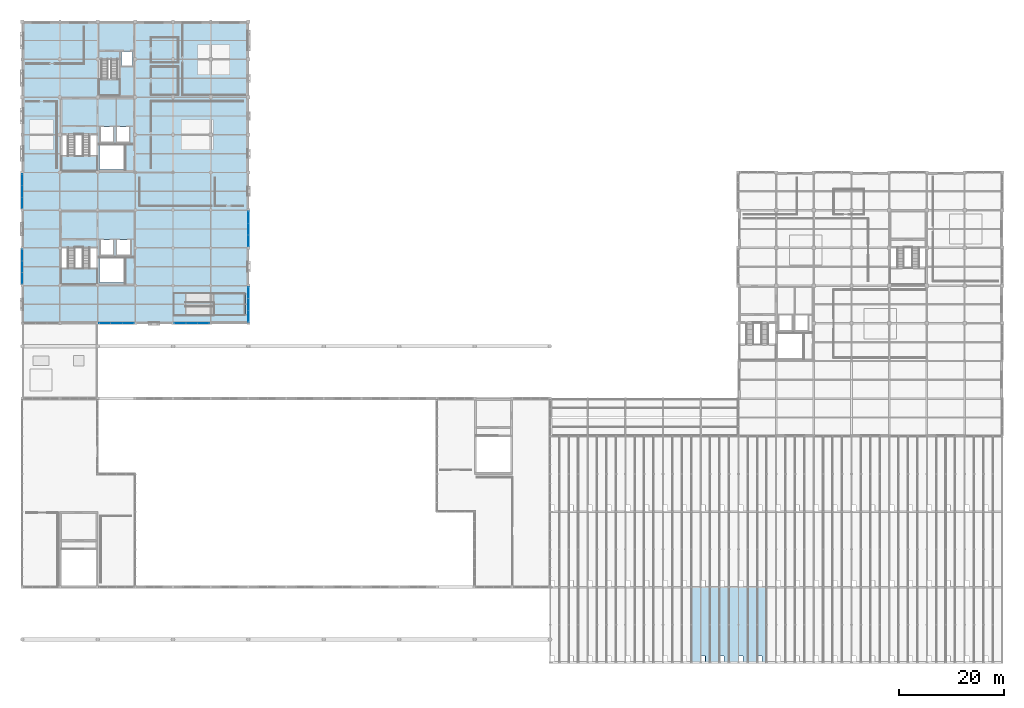
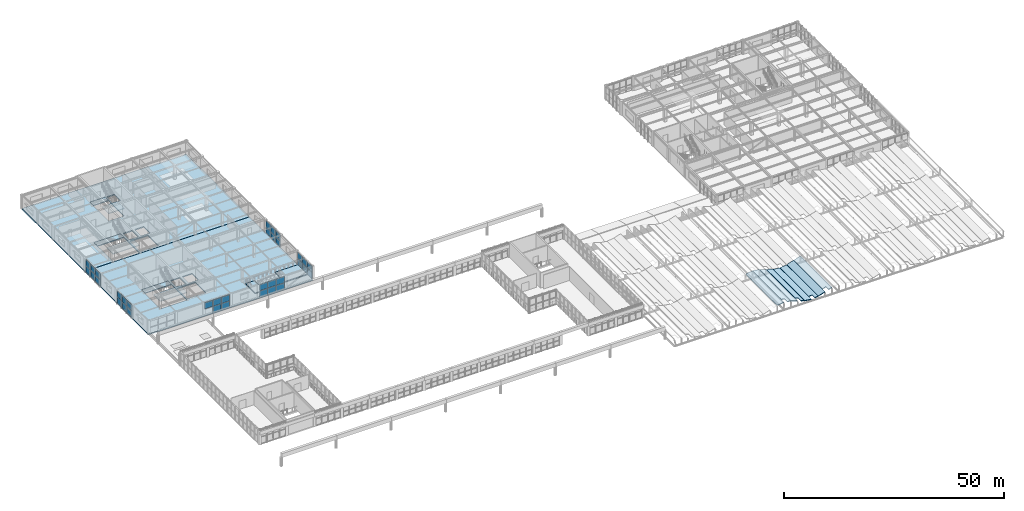
# One storey, part 57 of 83: 35 plates, 18 slabs, 10 elements without a shape of their own.
"""IFC4 building model written with IfcOpenShell, lengths in metres."""

import ifcopenshell
import ifcopenshell.guid

model = None  # the IFC model being written
_history = None  # IfcOwnerHistory: only IFC2X3 demands one
_inside = {}  # id of a spatial element -> (the spatial element, [elements in it])
_under = {}  # id of a project, library or spatial element -> (it, [spatial elements below it])
_declared = {}  # id of a project -> (the project, [libraries it declares])
_typed = {}  # id of a type object -> (the type object, [elements of that type])
_made_of = {}  # id of a material, layer set ... -> (it, [elements and type objects made of it])


def new_model(schema):
    """Start an empty IFC model of exactly this schema.

    Asked for "IFC4X3", IfcOpenShell would pick the latest addendum, in which some entities
    have other attributes; the version numbers below select the first issue.
    IFC2X3 requires an IfcOwnerHistory on every rooted entity: one is made here for all.
    """
    global model, _history
    if schema == "IFC4X3":
        model = ifcopenshell.file(schema_version=(4, 3, 0, 0))
    else:
        model = ifcopenshell.file(schema=schema)
    _inside.clear()
    _under.clear()
    _declared.clear()
    _typed.clear()
    _made_of.clear()
    _history = None
    if model.schema == "IFC2X3":
        org = make("IfcOrganization", Name="unknown")
        user = make(
            "IfcPersonAndOrganization",
            ThePerson=make("IfcPerson", FamilyName="unknown"),
            TheOrganization=org,
        )
        app = make(
            "IfcApplication",
            ApplicationDeveloper=org,
            Version="unknown",
            ApplicationFullName="unknown",
            ApplicationIdentifier="unknown",
        )
        _history = make(
            "IfcOwnerHistory",
            OwningUser=user,
            OwningApplication=app,
            ChangeAction="ADDED",
            CreationDate=0,
        )
    return model


def make(cls, **values):
    """One entity of the class cls with the attributes given. An attribute that is None is left unset."""
    return model.create_entity(
        cls, **{name: value for name, value in values.items() if value is not None}
    )


def rooted(cls, **values):
    """An entity with a GlobalId (a new one), such as an element, a storey or a relation."""
    return make(cls, GlobalId=ifcopenshell.guid.new(), OwnerHistory=_history, **values)


def si_unit(unit_type, name, prefix=None):
    """IfcSIUnit, for example si_unit("LENGTHUNIT", "METRE", prefix="MILLI")."""
    return make("IfcSIUnit", UnitType=unit_type, Prefix=prefix, Name=name)


def assignment(units):
    """IfcUnitAssignment: the units of a project."""
    return None if units is None else make("IfcUnitAssignment", Units=units)


def point(xyz):
    """IfcCartesianPoint."""
    return None if xyz is None else make("IfcCartesianPoint", Coordinates=xyz)


def direction(xyz):
    """IfcDirection."""
    return None if xyz is None else make("IfcDirection", DirectionRatios=xyz)


def frame(location, z_axis=None, x_axis=None):
    """IfcAxis2Placement3D, a coordinate frame: its origin and axes. An axis left out is left unset."""
    return make(
        "IfcAxis2Placement3D",
        Location=point(location),
        Axis=direction(z_axis),
        RefDirection=direction(x_axis),
    )


def frame_2d(location, x_axis=None):
    """IfcAxis2Placement2D, a coordinate frame in the plane: its origin and x axis."""
    return make(
        "IfcAxis2Placement2D", Location=point(location), RefDirection=direction(x_axis)
    )


def origin():
    """The frame at (0, 0, 0) with its axes left unset."""
    return frame((0.0, 0.0, 0.0))


def origin_2d():
    """The frame at (0, 0) in the plane with its x axis left unset."""
    return frame_2d((0.0, 0.0))


def place(relative_to, where):
    """IfcLocalPlacement: puts the frame where relative to a parent placement (None: the world)."""
    return make(
        "IfcLocalPlacement", PlacementRelTo=relative_to, RelativePlacement=where
    )


def context(
    kind, dimensions, precision=None, world=None, true_north=None, identifier=None
):
    """IfcGeometricRepresentationContext, for example the 3D "Model" context."""
    return make(
        "IfcGeometricRepresentationContext",
        ContextIdentifier=identifier,
        ContextType=kind,
        CoordinateSpaceDimension=dimensions,
        Precision=precision,
        WorldCoordinateSystem=world,
        TrueNorth=true_north,
    )


def subcontext(parent, identifier, kind, view, scale=None):
    """IfcGeometricRepresentationSubContext, for example "Body" below "Model"."""
    return make(
        "IfcGeometricRepresentationSubContext",
        ContextIdentifier=identifier,
        ContextType=kind,
        ParentContext=parent,
        TargetScale=scale,
        TargetView=view,
    )


def project(units=None, contexts=None):
    """IfcProject with its units and contexts."""
    return rooted(
        "IfcProject",
        Name="project",
        RepresentationContexts=contexts,
        UnitsInContext=assignment(units),
    )


def spatial(cls, under=None, at=None, **own):
    """A site, building, storey or space (cls), placed at a placement, below another one or the project."""
    s = rooted(cls, ObjectPlacement=at, **own)
    if under is not None:
        _under.setdefault(under.id(), (under, []))[1].append(s)
    return s


def polyline(points):
    """IfcPolyline through the points."""
    return make("IfcPolyline", Points=[point(p) for p in points])


def profile(cls, at=None, kind="AREA", **sizes):
    """A parametric profile (cls). Its sizes go by their IFC names, for example OverallWidth=200.0."""
    return make(cls, ProfileType=kind, Position=at, **sizes)


def rectangle(**sizes):
    """IfcRectangleProfileDef."""
    return profile("IfcRectangleProfileDef", **sizes)


def outline(outer, holes=None, kind="AREA"):
    """IfcArbitraryClosedProfileDef: a profile drawn as a closed curve; with holes, ...WithVoids."""
    if holes is None:
        return make("IfcArbitraryClosedProfileDef", ProfileType=kind, OuterCurve=outer)
    return make(
        "IfcArbitraryProfileDefWithVoids",
        ProfileType=kind,
        OuterCurve=outer,
        InnerCurves=holes,
    )


def extrude(swept, where, along, depth):
    """IfcExtrudedAreaSolid: the profile swept, set in the frame where, extruded along a direction by depth."""
    return make(
        "IfcExtrudedAreaSolid",
        SweptArea=swept,
        Position=where,
        ExtrudedDirection=direction(along),
        Depth=depth,
    )


def shape(context_of_items, identifier, shape_type, items):
    """IfcShapeRepresentation: the items that make up one representation, for example the "Body"."""
    return make(
        "IfcShapeRepresentation",
        ContextOfItems=context_of_items,
        RepresentationIdentifier=identifier,
        RepresentationType=shape_type,
        Items=items,
    )


def material(Name=None, Category=None):
    """IfcMaterial."""
    return make("IfcMaterial", Name=Name, Category=Category)


def layer(
    of_material, thickness, ventilated=None, Name=None, Category=None, Priority=None
):
    """IfcMaterialLayer: one layer of a wall or slab, of a material (None: an air gap)."""
    return make(
        "IfcMaterialLayer",
        Material=of_material,
        LayerThickness=thickness,
        IsVentilated=ventilated,
        Name=Name,
        Category=Category,
        Priority=Priority,
    )


def layer_set(layers, Name=None):
    """IfcMaterialLayerSet."""
    return make("IfcMaterialLayerSet", MaterialLayers=layers, LayerSetName=Name)


def made_of(thing, what):
    """Note that an element or type object is made of a material, layer set ...; save() writes the relation."""
    if what is not None:
        _made_of.setdefault(what.id(), (what, []))[1].append(thing)
    return thing


def type_object(cls, material=None, **own):
    """A type object (cls), such as IfcWallType, which elements share."""
    return made_of(rooted(cls, **own), material)


def element(
    cls,
    number,
    at=None,
    inside=None,
    cuts=None,
    type_object=None,
    material=None,
    context=None,
    identifier="Body",
    shape_type=None,
    held_by="IfcProductDefinitionShape",
    body=None,
    shapes=None,
    **own,
):
    """One element of the class cls, such as IfcWall. Its Tag is "e" and its number.

    at: its placement. inside: the storey or other place that contains it. cuts: it is an
    opening in that element (IfcRelVoidsElement). A single representation is given by context,
    identifier, shape_type and body (its items); several are given by shapes. held_by: the class
    of the entity that holds the representations. save() writes the other relations.
    """
    e = rooted(cls, Tag="e%d" % number, ObjectPlacement=at, **own)
    if body is not None:
        shapes = [shape(context, identifier, shape_type, body)]
    if shapes is not None:
        e.Representation = make(held_by, Representations=shapes)
    if inside is not None:
        _inside.setdefault(inside.id(), (inside, []))[1].append(e)
    if cuts is not None:
        rooted(
            "IfcRelVoidsElement", RelatingBuildingElement=cuts, RelatedOpeningElement=e
        )
    if type_object is not None:
        _typed.setdefault(type_object.id(), (type_object, []))[1].append(e)
    return made_of(e, material)


def aggregate(whole, parts):
    """IfcRelAggregates: a whole, such as a stair, and the parts it consists of."""
    return rooted("IfcRelAggregates", RelatingObject=whole, RelatedObjects=parts)


def save(model, path):
    """Write the relations noted so far, then the file.

    IfcRelAggregates (storeys below a building ...), IfcRelContainedInSpatialStructure (elements
    in a storey), IfcRelDefinesByType, IfcRelAssociatesMaterial and IfcRelDeclares: one each for
    every whole, place, type object, material and project.
    """
    for whole, parts in _under.values():
        aggregate(whole, parts)
    for where, things in _inside.values():
        rooted(
            "IfcRelContainedInSpatialStructure",
            RelatedElements=things,
            RelatingStructure=where,
        )
    for kind, things in _typed.values():
        rooted("IfcRelDefinesByType", RelatedObjects=things, RelatingType=kind)
    for what, things in _made_of.values():
        rooted("IfcRelAssociatesMaterial", RelatedObjects=things, RelatingMaterial=what)
    for by, libraries in _declared.values():
        rooted("IfcRelDeclares", RelatingContext=by, RelatedDefinitions=libraries)
    model.write(path)


model = new_model("IFC4")

# Units and contexts
model_context = context("Model", 3, precision=1e-05, world=origin(), true_north=direction((0.0, 1.0)))
body_context = subcontext(model_context, "Body", "Model", "MODEL_VIEW")
ifc_project = project(units=[si_unit("LENGTHUNIT", "METRE"), si_unit("AREAUNIT", "SQUARE_METRE"), si_unit("VOLUMEUNIT", "CUBIC_METRE"), si_unit("PLANEANGLEUNIT", "RADIAN"), si_unit("MASSUNIT", "GRAM", prefix="KILO")], contexts=[model_context])

# Site, building, storey
site_placement = place(None, origin())
site = spatial("IfcSite", under=ifc_project, at=site_placement, CompositionType="ELEMENT")
building_placement = place(site_placement, origin())
building = spatial("IfcBuilding", under=site, at=building_placement, Name="Leyfeld Transit Interchange", CompositionType="ELEMENT")
storey_placement = place(building_placement, frame((0.0, 0.0, 5.39990234375)))
storey = spatial("IfcBuildingStorey", under=building, at=storey_placement, Name="L01", CompositionType="ELEMENT", Elevation=5.39990234375)

# Curtain wall, plates
ifc_material_1 = material(Name="Anodised aluminium EN AW-6060 T66", Category="aluminium")
curtain_wall_type = type_object("IfcCurtainWallType", Name="CW-SYS-CYC-7200", PredefinedType="NOTDEFINED", material=ifc_material_1)
curtain_wall_1_placement = place(storey_placement, origin())
curtain_wall_1 = element("IfcCurtainWall", 1, at=curtain_wall_1_placement, inside=storey, type_object=curtain_wall_type, Name="Curtain Wall CW-L01-066", PredefinedType="NOTDEFINED")
ifc_material_2 = material(Name="Triple low-E insulated glazing", Category="glass")
ifc_layer_1 = layer(ifc_material_2, 0.0380859375, Name="Triple low-E insulated glazing")
ifc_layer_set_1 = layer_set([ifc_layer_1], Name="Triple low-E insulated glazing")
plate_type = type_object("IfcPlateType", Name="CW-PNL-GLZ-38", PredefinedType="CURTAIN_PANEL", material=ifc_layer_set_1)
plate_1_placement = place(storey_placement, frame((43.199951171875, 85.007080078125, 0.0634765625), z_axis=(0.0, 0.0, 1.0), x_axis=(0.0, -1.0, 0.0)))
plate_1 = element("IfcPlate", 2, at=plate_1_placement, type_object=plate_type, Name="Glazed Curtain Panel CW-L01-066-P01_1", PredefinedType="CURTAIN_PANEL", context=body_context, shape_type="SweptSolid", body=[
    extrude(rectangle(XDim=2.12890625, YDim=0.0380859375, at=origin_2d()), origin(), (0.0, 0.0, 1.0), 1.700439453125),
])
plate_2_placement = place(storey_placement, frame((43.199951171875, 85.007080078125, 1.826171875), z_axis=(0.0, 0.0, 1.0), x_axis=(0.0, -1.0, 0.0)))
plate_2 = element("IfcPlate", 3, at=plate_2_placement, type_object=plate_type, Name="Glazed Curtain Panel CW-L01-066-P01_2", PredefinedType="CURTAIN_PANEL", context=body_context, shape_type="SweptSolid", body=[
    extrude(rectangle(XDim=2.12890625, YDim=0.0380859375, at=origin_2d()), origin(), (0.0, 0.0, 1.0), 1.700439453125),
])
plate_3_placement = place(storey_placement, frame((43.199951171875, 82.800048828125, 0.0634765625), z_axis=(0.0, 0.0, 1.0), x_axis=(0.0, -1.0, 0.0)))
plate_3 = element("IfcPlate", 4, at=plate_3_placement, type_object=plate_type, Name="Glazed Curtain Panel CW-L01-066-P02_1", PredefinedType="CURTAIN_PANEL", context=body_context, shape_type="SweptSolid", body=[
    extrude(rectangle(XDim=2.161376953125, YDim=0.0380859375, at=origin_2d()), origin(), (0.0, 0.0, 1.0), 1.700439453125),
])
plate_4_placement = place(storey_placement, frame((43.199951171875, 82.800048828125, 1.826171875), z_axis=(0.0, 0.0, 1.0), x_axis=(0.0, -1.0, 0.0)))
plate_4 = element("IfcPlate", 5, at=plate_4_placement, type_object=plate_type, Name="Glazed Curtain Panel CW-L01-066-P02_2", PredefinedType="CURTAIN_PANEL", context=body_context, shape_type="SweptSolid", body=[
    extrude(rectangle(XDim=2.161376953125, YDim=0.0380859375, at=origin_2d()), origin(), (0.0, 0.0, 1.0), 1.700439453125),
])
plate_5_placement = place(storey_placement, frame((43.199951171875, 80.593017578125, 0.0634765625), z_axis=(0.0, 0.0, 1.0), x_axis=(0.0, -1.0, 0.0)))
plate_5 = element("IfcPlate", 6, at=plate_5_placement, type_object=plate_type, Name="Glazed Curtain Panel CW-L01-066-P03_1", PredefinedType="CURTAIN_PANEL", context=body_context, shape_type="SweptSolid", body=[
    extrude(rectangle(XDim=2.12890625, YDim=0.0380859375, at=origin_2d()), origin(), (0.0, 0.0, 1.0), 1.700439453125),
])
plate_6_placement = place(storey_placement, frame((43.199951171875, 80.593017578125, 1.826171875), z_axis=(0.0, 0.0, 1.0), x_axis=(0.0, -1.0, 0.0)))
plate_6 = element("IfcPlate", 7, at=plate_6_placement, type_object=plate_type, Name="Glazed Curtain Panel CW-L01-066-P03_2", PredefinedType="CURTAIN_PANEL", context=body_context, shape_type="SweptSolid", body=[
    extrude(rectangle(XDim=2.12890625, YDim=0.0380859375, at=origin_2d()), origin(), (0.0, 0.0, 1.0), 1.700439453125),
])
aggregate(curtain_wall_1, [plate_1, plate_2, plate_3, plate_4, plate_5, plate_6])

curtain_wall_2_placement = place(storey_placement, origin())
curtain_wall_2 = element("IfcCurtainWall", 8, at=curtain_wall_2_placement, inside=storey, type_object=curtain_wall_type, Name="Curtain Wall CW-L01-067", PredefinedType="NOTDEFINED")
plate_7_placement = place(storey_placement, frame((43.199951171875, 70.607177734375, 0.0634765625), z_axis=(0.0, 0.0, 1.0), x_axis=(0.0, -1.0, 0.0)))
plate_7 = element("IfcPlate", 9, at=plate_7_placement, type_object=plate_type, Name="Glazed Curtain Panel CW-L01-067-P01_1", PredefinedType="CURTAIN_PANEL", context=body_context, shape_type="SweptSolid", body=[
    extrude(rectangle(XDim=2.12890625, YDim=0.0380859375, at=origin_2d()), origin(), (0.0, 0.0, 1.0), 1.700439453125),
])
plate_8_placement = place(storey_placement, frame((43.199951171875, 70.607177734375, 1.826171875), z_axis=(0.0, 0.0, 1.0), x_axis=(0.0, -1.0, 0.0)))
plate_8 = element("IfcPlate", 10, at=plate_8_placement, type_object=plate_type, Name="Glazed Curtain Panel CW-L01-067-P01_2", PredefinedType="CURTAIN_PANEL", context=body_context, shape_type="SweptSolid", body=[
    extrude(rectangle(XDim=2.12890625, YDim=0.0380859375, at=origin_2d()), origin(), (0.0, 0.0, 1.0), 1.700439453125),
])
plate_9_placement = place(storey_placement, frame((43.199951171875, 68.39990234375, 0.0634765625), z_axis=(0.0, 0.0, 1.0), x_axis=(0.0, -1.0, 0.0)))
plate_9 = element("IfcPlate", 11, at=plate_9_placement, type_object=plate_type, Name="Glazed Curtain Panel CW-L01-067-P02_1", PredefinedType="CURTAIN_PANEL", context=body_context, shape_type="SweptSolid", body=[
    extrude(rectangle(XDim=2.161376953125, YDim=0.0380859375, at=origin_2d()), origin(), (0.0, 0.0, 1.0), 1.700439453125),
])
plate_10_placement = place(storey_placement, frame((43.199951171875, 68.39990234375, 1.826171875), z_axis=(0.0, 0.0, 1.0), x_axis=(0.0, -1.0, 0.0)))
plate_10 = element("IfcPlate", 12, at=plate_10_placement, type_object=plate_type, Name="Glazed Curtain Panel CW-L01-067-P02_2", PredefinedType="CURTAIN_PANEL", context=body_context, shape_type="SweptSolid", body=[
    extrude(rectangle(XDim=2.161376953125, YDim=0.0380859375, at=origin_2d()), origin(), (0.0, 0.0, 1.0), 1.700439453125),
])
plate_11_placement = place(storey_placement, frame((43.199951171875, 66.19287109375, 0.0634765625), z_axis=(0.0, 0.0, 1.0), x_axis=(0.0, -1.0, 0.0)))
plate_11 = element("IfcPlate", 13, at=plate_11_placement, type_object=plate_type, Name="Glazed Curtain Panel CW-L01-067-P03_1", PredefinedType="CURTAIN_PANEL", context=body_context, shape_type="SweptSolid", body=[
    extrude(rectangle(XDim=2.12890625, YDim=0.0380859375, at=origin_2d()), origin(), (0.0, 0.0, 1.0), 1.700439453125),
])
plate_12_placement = place(storey_placement, frame((43.199951171875, 66.19287109375, 1.826171875), z_axis=(0.0, 0.0, 1.0), x_axis=(0.0, -1.0, 0.0)))
plate_12 = element("IfcPlate", 14, at=plate_12_placement, type_object=plate_type, Name="Glazed Curtain Panel CW-L01-067-P03_2", PredefinedType="CURTAIN_PANEL", context=body_context, shape_type="SweptSolid", body=[
    extrude(rectangle(XDim=2.12890625, YDim=0.0380859375, at=origin_2d()), origin(), (0.0, 0.0, 1.0), 1.700439453125),
])
aggregate(curtain_wall_2, [plate_7, plate_8, plate_9, plate_10, plate_11, plate_12])

curtain_wall_3_placement = place(storey_placement, origin())
curtain_wall_3 = element("IfcCurtainWall", 15, at=curtain_wall_3_placement, inside=storey, type_object=curtain_wall_type, Name="Curtain Wall CW-L01-068", PredefinedType="NOTDEFINED")
plate_13_placement = place(storey_placement, frame((34.607177734375, 64.800048828125, 0.0634765625), z_axis=(0.0, 0.0, 1.0), x_axis=(-1.0, 0.0, 0.0)))
plate_13 = element("IfcPlate", 16, at=plate_13_placement, type_object=plate_type, Name="Glazed Curtain Panel CW-L01-068-P01_1", PredefinedType="CURTAIN_PANEL", context=body_context, shape_type="SweptSolid", body=[
    extrude(rectangle(XDim=2.12890625, YDim=0.0380859375, at=origin_2d()), origin(), (0.0, 0.0, 1.0), 1.715576171875),
])
plate_14_placement = place(storey_placement, frame((34.607177734375, 64.800048828125, 1.8408203125), z_axis=(0.0, 0.0, 1.0), x_axis=(-1.0, 0.0, 0.0)))
plate_14 = element("IfcPlate", 17, at=plate_14_placement, type_object=plate_type, Name="Glazed Curtain Panel CW-L01-068-P01_2", PredefinedType="CURTAIN_PANEL", context=body_context, shape_type="SweptSolid", body=[
    extrude(rectangle(XDim=2.12890625, YDim=0.0380859375, at=origin_2d()), origin(), (0.0, 0.0, 1.0), 1.715576171875),
])
plate_15_placement = place(storey_placement, frame((32.39990234375, 64.800048828125, 0.0634765625), z_axis=(0.0, 0.0, 1.0), x_axis=(-1.0, 0.0, 0.0)))
plate_15 = element("IfcPlate", 18, at=plate_15_placement, type_object=plate_type, Name="Glazed Curtain Panel CW-L01-068-P02_1", PredefinedType="CURTAIN_PANEL", context=body_context, shape_type="SweptSolid", body=[
    extrude(rectangle(XDim=2.161376953125, YDim=0.0380859375, at=origin_2d()), origin(), (0.0, 0.0, 1.0), 1.715576171875),
])
plate_16_placement = place(storey_placement, frame((32.39990234375, 64.800048828125, 1.8408203125), z_axis=(0.0, 0.0, 1.0), x_axis=(-1.0, 0.0, 0.0)))
plate_16 = element("IfcPlate", 19, at=plate_16_placement, type_object=plate_type, Name="Glazed Curtain Panel CW-L01-068-P02_2", PredefinedType="CURTAIN_PANEL", context=body_context, shape_type="SweptSolid", body=[
    extrude(rectangle(XDim=2.161376953125, YDim=0.0380859375, at=origin_2d()), origin(), (0.0, 0.0, 1.0), 1.715576171875),
])
plate_17_placement = place(storey_placement, frame((30.19287109375, 64.800048828125, 0.0634765625), z_axis=(0.0, 0.0, 1.0), x_axis=(-1.0, 0.0, 0.0)))
plate_17 = element("IfcPlate", 20, at=plate_17_placement, type_object=plate_type, Name="Glazed Curtain Panel CW-L01-068-P03_1", PredefinedType="CURTAIN_PANEL", context=body_context, shape_type="SweptSolid", body=[
    extrude(rectangle(XDim=2.12890625, YDim=0.0380859375, at=origin_2d()), origin(), (0.0, 0.0, 1.0), 1.715576171875),
])
plate_18_placement = place(storey_placement, frame((30.19287109375, 64.800048828125, 1.8408203125), z_axis=(0.0, 0.0, 1.0), x_axis=(-1.0, 0.0, 0.0)))
plate_18 = element("IfcPlate", 21, at=plate_18_placement, type_object=plate_type, Name="Glazed Curtain Panel CW-L01-068-P03_2", PredefinedType="CURTAIN_PANEL", context=body_context, shape_type="SweptSolid", body=[
    extrude(rectangle(XDim=2.12890625, YDim=0.0380859375, at=origin_2d()), origin(), (0.0, 0.0, 1.0), 1.715576171875),
])
aggregate(curtain_wall_3, [plate_13, plate_14, plate_15, plate_16, plate_17, plate_18])

curtain_wall_4_placement = place(storey_placement, origin())
curtain_wall_4 = element("IfcCurtainWall", 22, at=curtain_wall_4_placement, inside=storey, type_object=curtain_wall_type, Name="Curtain Wall CW-L01-069", PredefinedType="NOTDEFINED")
plate_19_placement = place(storey_placement, frame((20.20703125, 64.800048828125, 0.0634765625), z_axis=(0.0, 0.0, 1.0), x_axis=(-1.0, 0.0, 0.0)))
plate_19 = element("IfcPlate", 23, at=plate_19_placement, type_object=plate_type, Name="Glazed Curtain Panel CW-L01-069-P01_1", PredefinedType="CURTAIN_PANEL", context=body_context, shape_type="SweptSolid", body=[
    extrude(rectangle(XDim=2.12890625, YDim=0.0380859375, at=origin_2d()), origin(), (0.0, 0.0, 1.0), 1.715576171875),
])
plate_20_placement = place(storey_placement, frame((20.20703125, 64.800048828125, 1.8408203125), z_axis=(0.0, 0.0, 1.0), x_axis=(-1.0, 0.0, 0.0)))
plate_20 = element("IfcPlate", 24, at=plate_20_placement, type_object=plate_type, Name="Glazed Curtain Panel CW-L01-069-P01_2", PredefinedType="CURTAIN_PANEL", context=body_context, shape_type="SweptSolid", body=[
    extrude(rectangle(XDim=2.12890625, YDim=0.0380859375, at=origin_2d()), origin(), (0.0, 0.0, 1.0), 1.715576171875),
])
plate_21_placement = place(storey_placement, frame((18.0, 64.800048828125, 0.0634765625), z_axis=(0.0, 0.0, 1.0), x_axis=(-1.0, 0.0, 0.0)))
plate_21 = element("IfcPlate", 25, at=plate_21_placement, type_object=plate_type, Name="Glazed Curtain Panel CW-L01-069-P02_1", PredefinedType="CURTAIN_PANEL", context=body_context, shape_type="SweptSolid", body=[
    extrude(rectangle(XDim=2.161376953125, YDim=0.0380859375, at=origin_2d()), origin(), (0.0, 0.0, 1.0), 1.715576171875),
])
plate_22_placement = place(storey_placement, frame((18.0, 64.800048828125, 1.8408203125), z_axis=(0.0, 0.0, 1.0), x_axis=(-1.0, 0.0, 0.0)))
plate_22 = element("IfcPlate", 26, at=plate_22_placement, type_object=plate_type, Name="Glazed Curtain Panel CW-L01-069-P02_2", PredefinedType="CURTAIN_PANEL", context=body_context, shape_type="SweptSolid", body=[
    extrude(rectangle(XDim=2.161376953125, YDim=0.0380859375, at=origin_2d()), origin(), (0.0, 0.0, 1.0), 1.715576171875),
])
plate_23_placement = place(storey_placement, frame((15.79296875, 64.800048828125, 1.8408203125), z_axis=(0.0, 0.0, 1.0), x_axis=(-1.0, 0.0, 0.0)))
plate_23 = element("IfcPlate", 27, at=plate_23_placement, type_object=plate_type, Name="Glazed Curtain Panel CW-L01-069-P03_2", PredefinedType="CURTAIN_PANEL", context=body_context, shape_type="SweptSolid", body=[
    extrude(rectangle(XDim=2.12890625, YDim=0.0380859375, at=origin_2d()), origin(), (0.0, 0.0, 1.0), 1.715576171875),
])
aggregate(curtain_wall_4, [plate_19, plate_20, plate_21, plate_22, plate_23])

curtain_wall_5_placement = place(storey_placement, origin())
curtain_wall_5 = element("IfcCurtainWall", 28, at=curtain_wall_5_placement, inside=storey, type_object=curtain_wall_type, Name="Curtain Wall CW-L01-071", PredefinedType="NOTDEFINED")
plate_24_placement = place(storey_placement, frame((0.0, 73.392822265625, 0.0634765625), z_axis=(0.0, 0.0, 1.0), x_axis=(0.0, 1.0, 0.0)))
plate_24 = element("IfcPlate", 29, at=plate_24_placement, type_object=plate_type, Name="Glazed Curtain Panel CW-L01-071-P01_1", PredefinedType="CURTAIN_PANEL", context=body_context, shape_type="SweptSolid", body=[
    extrude(rectangle(XDim=2.12890625, YDim=0.0380859375, at=origin_2d()), origin(), (0.0, 0.0, 1.0), 1.700439453125),
])
plate_25_placement = place(storey_placement, frame((0.0, 73.392822265625, 1.826171875), z_axis=(0.0, 0.0, 1.0), x_axis=(0.0, 1.0, 0.0)))
plate_25 = element("IfcPlate", 30, at=plate_25_placement, type_object=plate_type, Name="Glazed Curtain Panel CW-L01-071-P01_2", PredefinedType="CURTAIN_PANEL", context=body_context, shape_type="SweptSolid", body=[
    extrude(rectangle(XDim=2.12890625, YDim=0.0380859375, at=origin_2d()), origin(), (0.0, 0.0, 1.0), 1.700439453125),
])
plate_26_placement = place(storey_placement, frame((0.0, 75.60009765625, 0.0634765625), z_axis=(0.0, 0.0, 1.0), x_axis=(0.0, 1.0, 0.0)))
plate_26 = element("IfcPlate", 31, at=plate_26_placement, type_object=plate_type, Name="Glazed Curtain Panel CW-L01-071-P02_1", PredefinedType="CURTAIN_PANEL", context=body_context, shape_type="SweptSolid", body=[
    extrude(rectangle(XDim=2.161376953125, YDim=0.0380859375, at=origin_2d()), origin(), (0.0, 0.0, 1.0), 1.700439453125),
])
plate_27_placement = place(storey_placement, frame((0.0, 75.60009765625, 1.826171875), z_axis=(0.0, 0.0, 1.0), x_axis=(0.0, 1.0, 0.0)))
plate_27 = element("IfcPlate", 32, at=plate_27_placement, type_object=plate_type, Name="Glazed Curtain Panel CW-L01-071-P02_2", PredefinedType="CURTAIN_PANEL", context=body_context, shape_type="SweptSolid", body=[
    extrude(rectangle(XDim=2.161376953125, YDim=0.0380859375, at=origin_2d()), origin(), (0.0, 0.0, 1.0), 1.700439453125),
])
plate_28_placement = place(storey_placement, frame((0.0, 77.80712890625, 0.0634765625), z_axis=(0.0, 0.0, 1.0), x_axis=(0.0, 1.0, 0.0)))
plate_28 = element("IfcPlate", 33, at=plate_28_placement, type_object=plate_type, Name="Glazed Curtain Panel CW-L01-071-P03_1", PredefinedType="CURTAIN_PANEL", context=body_context, shape_type="SweptSolid", body=[
    extrude(rectangle(XDim=2.12890625, YDim=0.0380859375, at=origin_2d()), origin(), (0.0, 0.0, 1.0), 1.700439453125),
])
plate_29_placement = place(storey_placement, frame((0.0, 77.80712890625, 1.826171875), z_axis=(0.0, 0.0, 1.0), x_axis=(0.0, 1.0, 0.0)))
plate_29 = element("IfcPlate", 34, at=plate_29_placement, type_object=plate_type, Name="Glazed Curtain Panel CW-L01-071-P03_2", PredefinedType="CURTAIN_PANEL", context=body_context, shape_type="SweptSolid", body=[
    extrude(rectangle(XDim=2.12890625, YDim=0.0380859375, at=origin_2d()), origin(), (0.0, 0.0, 1.0), 1.700439453125),
])
aggregate(curtain_wall_5, [plate_24, plate_25, plate_26, plate_27, plate_28, plate_29])

curtain_wall_6_placement = place(storey_placement, origin())
curtain_wall_6 = element("IfcCurtainWall", 35, at=curtain_wall_6_placement, inside=storey, type_object=curtain_wall_type, Name="Curtain Wall CW-L01-072", PredefinedType="NOTDEFINED")
plate_30_placement = place(storey_placement, frame((0.0, 87.78466796875, 0.0634765625), z_axis=(0.0, 0.0, 1.0), x_axis=(0.0, 1.0, 0.0)))
plate_30 = element("IfcPlate", 36, at=plate_30_placement, type_object=plate_type, Name="Glazed Curtain Panel CW-L01-072-P01_1", PredefinedType="CURTAIN_PANEL", context=body_context, shape_type="SweptSolid", body=[
    extrude(rectangle(XDim=2.1123046875, YDim=0.0380859375, at=origin_2d()), origin(), (0.0, 0.0, 1.0), 1.700439453125),
])
plate_31_placement = place(storey_placement, frame((0.0, 87.78466796875, 1.826171875), z_axis=(0.0, 0.0, 1.0), x_axis=(0.0, 1.0, 0.0)))
plate_31 = element("IfcPlate", 37, at=plate_31_placement, type_object=plate_type, Name="Glazed Curtain Panel CW-L01-072-P01_2", PredefinedType="CURTAIN_PANEL", context=body_context, shape_type="SweptSolid", body=[
    extrude(rectangle(XDim=2.1123046875, YDim=0.0380859375, at=origin_2d()), origin(), (0.0, 0.0, 1.0), 1.700439453125),
])
plate_32_placement = place(storey_placement, frame((0.0, 89.97509765625, 0.0634765625), z_axis=(0.0, 0.0, 1.0), x_axis=(0.0, 1.0, 0.0)))
plate_32 = element("IfcPlate", 38, at=plate_32_placement, type_object=plate_type, Name="Glazed Curtain Panel CW-L01-072-P02_1", PredefinedType="CURTAIN_PANEL", context=body_context, shape_type="SweptSolid", body=[
    extrude(rectangle(XDim=2.14453125, YDim=0.0380859375, at=origin_2d()), origin(), (0.0, 0.0, 1.0), 1.700439453125),
])
plate_33_placement = place(storey_placement, frame((0.0, 89.97509765625, 1.826171875), z_axis=(0.0, 0.0, 1.0), x_axis=(0.0, 1.0, 0.0)))
plate_33 = element("IfcPlate", 39, at=plate_33_placement, type_object=plate_type, Name="Glazed Curtain Panel CW-L01-072-P02_2", PredefinedType="CURTAIN_PANEL", context=body_context, shape_type="SweptSolid", body=[
    extrude(rectangle(XDim=2.14453125, YDim=0.0380859375, at=origin_2d()), origin(), (0.0, 0.0, 1.0), 1.700439453125),
])
plate_34_placement = place(storey_placement, frame((0.0, 92.165283203125, 0.0634765625), z_axis=(0.0, 0.0, 1.0), x_axis=(0.0, 1.0, 0.0)))
plate_34 = element("IfcPlate", 40, at=plate_34_placement, type_object=plate_type, Name="Glazed Curtain Panel CW-L01-072-P03_1", PredefinedType="CURTAIN_PANEL", context=body_context, shape_type="SweptSolid", body=[
    extrude(rectangle(XDim=2.1123046875, YDim=0.0380859375, at=origin_2d()), origin(), (0.0, 0.0, 1.0), 1.700439453125),
])
plate_35_placement = place(storey_placement, frame((0.0, 92.165283203125, 1.826171875), z_axis=(0.0, 0.0, 1.0), x_axis=(0.0, 1.0, 0.0)))
plate_35 = element("IfcPlate", 41, at=plate_35_placement, type_object=plate_type, Name="Glazed Curtain Panel CW-L01-072-P03_2", PredefinedType="CURTAIN_PANEL", context=body_context, shape_type="SweptSolid", body=[
    extrude(rectangle(XDim=2.1123046875, YDim=0.0380859375, at=origin_2d()), origin(), (0.0, 0.0, 1.0), 1.700439453125),
])
aggregate(curtain_wall_6, [plate_30, plate_31, plate_32, plate_33, plate_34, plate_35])

# Slabs
ifc_material_3 = material(Name="Concrete C35/45", Category="concrete")
ifc_layer_2 = layer(ifc_material_3, 0.280029296875, Name="Concrete C35/45")
ifc_layer_set_2 = layer_set([ifc_layer_2], Name="Concrete C35/45")
slab_type_1 = type_object("IfcSlabType", Name="SLB-FLR-280", PredefinedType="FLOOR", material=ifc_layer_set_2)
slab_1_placement = place(storey_placement, frame((0.0, 0.0, -0.27978515625)))
element("IfcSlab", 42, at=slab_1_placement, inside=storey, type_object=slab_type_1, Name="Slab V3 L01 B1", PredefinedType="FLOOR", context=body_context, shape_type="SweptSolid", body=[
    extrude(outline(polyline([(43.199951171875, 93.574951171875), (0.0, 93.574951171875), (0.0, 64.800048828125), (43.199951171875, 64.800048828125), (43.199951171875, 93.574951171875)]), holes=[polyline([(7.375, 72.175048828125), (7.375, 80.85009765625), (14.39990234375, 80.85009765625), (14.39990234375, 72.175048828125), (7.375, 72.175048828125)]), polyline([(14.75, 77.320068359375), (19.550048828125, 77.320068359375), (19.550048828125, 72.550048828125), (14.75, 72.550048828125), (14.75, 77.320068359375)]), polyline([(17.35009765625, 80.699951171875), (17.35009765625, 77.85009765625), (14.949951171875, 77.85009765625), (14.949951171875, 80.699951171875), (17.35009765625, 80.699951171875)]), polyline([(20.64990234375, 77.85009765625), (18.050048828125, 77.85009765625), (18.050048828125, 80.699951171875), (20.64990234375, 80.699951171875), (20.64990234375, 77.85009765625)])]), origin(), (0.0, 0.0, 1.0), 0.27978515625),
])
ifc_layer_3 = layer(ifc_material_3, 0.320068359375, Name="Concrete C35/45")
ifc_layer_set_3 = layer_set([ifc_layer_3], Name="Concrete C35/45")
slab_type_2 = type_object("IfcSlabType", Name="SLB-FLR-320", PredefinedType="FLOOR", material=ifc_layer_set_3)
slab_2_placement = place(storey_placement, frame((0.0, 0.0, -0.31982421875)))
element("IfcSlab", 43, at=slab_2_placement, inside=storey, type_object=slab_type_2, Name="Slab V5 L01 B1", PredefinedType="FLOOR", context=body_context, shape_type="SweptSolid", body=[
    extrude(outline(polyline([(0.0, 122.39990234375), (0.0, 93.625), (43.199951171875, 93.625), (43.199951171875, 122.39990234375), (0.0, 122.39990234375)]), holes=[polyline([(7.425048828125, 102.449951171875), (14.39990234375, 102.449951171875), (14.39990234375, 93.824951171875), (7.425048828125, 93.824951171875), (7.425048828125, 102.449951171875)]), polyline([(19.550048828125, 98.919921875), (19.550048828125, 94.14990234375), (14.75, 94.14990234375), (14.75, 98.919921875), (19.550048828125, 98.919921875)]), polyline([(17.35009765625, 99.449951171875), (14.949951171875, 99.449951171875), (14.949951171875, 102.300048828125), (17.35009765625, 102.300048828125), (17.35009765625, 99.449951171875)]), polyline([(18.050048828125, 99.449951171875), (18.050048828125, 102.300048828125), (20.449951171875, 102.300048828125), (20.449951171875, 99.449951171875), (18.050048828125, 99.449951171875)]), polyline([(14.60009765625, 116.85009765625), (18.699951171875, 116.85009765625), (18.699951171875, 108.199951171875), (14.60009765625, 108.199951171875), (14.60009765625, 116.85009765625)]), polyline([(21.050048828125, 116.699951171875), (21.050048828125, 113.949951171875), (18.949951171875, 113.949951171875), (18.949951171875, 116.699951171875), (21.050048828125, 116.699951171875)])]), origin(), (0.0, 0.0, 1.0), 0.31982421875),
])
ifc_material_4 = material(Name="Precast concrete C40/50", Category="concrete")
ifc_layer_4 = layer(ifc_material_4, 0.199951171875, Name="Precast concrete C40/50")
ifc_layer_set_4 = layer_set([ifc_layer_4], Name="Precast concrete C40/50")
slab_type_3 = type_object("IfcSlabType", Name="SLB-LND-200", PredefinedType="LANDING", material=ifc_layer_set_4)
slab_3_placement = place(storey_placement, frame((0.0, 0.0, -0.199951171875)))
element("IfcSlab", 44, at=slab_3_placement, inside=storey, type_object=slab_type_3, Name="Core K1 Stair Floor Landing L01", PredefinedType="LANDING", context=body_context, shape_type="SweptSolid", body=[
    extrude(outline(polyline([(7.429931640625, 100.89990234375), (14.39501953125, 100.89990234375), (14.39501953125, 102.445068359375), (7.429931640625, 102.445068359375), (7.429931640625, 100.89990234375)])), origin(), (0.0, 0.0, 1.0), 0.199951171875),
])

# Stair, slab
stair_type_1 = type_object("IfcStairType", Name="STR-HT-150x320", PredefinedType="HALF_TURN_STAIR", material=ifc_material_4)
stair_1_placement = place(storey_placement, origin())
stair_1 = element("IfcStair", 45, at=stair_1_placement, inside=storey, type_object=stair_type_1, Name="Exit Stair ST-01 (L01 to L02)", PredefinedType="HALF_TURN_STAIR")
slab_4_placement = place(storey_placement, frame((0.0, 0.0, 1.900146484375)))
slab_4 = element("IfcSlab", 46, at=slab_4_placement, type_object=slab_type_3, Name="Stair ST-01 L01 Half Landing", PredefinedType="LANDING", context=body_context, shape_type="SweptSolid", body=[
    extrude(outline(polyline([(7.429931640625, 93.830078125), (14.39501953125, 93.830078125), (14.39501953125, 96.739990234375), (7.429931640625, 96.739990234375), (7.429931640625, 93.830078125)])), origin(), (0.0, 0.0, 1.0), 0.199951171875),
])
aggregate(stair_1, [slab_4])

# Slab
slab_5_placement = place(storey_placement, frame((0.0, 0.0, -0.199951171875)))
element("IfcSlab", 47, at=slab_5_placement, inside=storey, type_object=slab_type_3, Name="Core K2 Stair Floor Landing L01", PredefinedType="LANDING", context=body_context, shape_type="SweptSolid", body=[
    extrude(outline(polyline([(14.60498046875, 115.300048828125), (18.695068359375, 115.300048828125), (18.695068359375, 116.844970703125), (14.60498046875, 116.844970703125), (14.60498046875, 115.300048828125)])), origin(), (0.0, 0.0, 1.0), 0.199951171875),
])

# Stair, slab
stair_type_2 = type_object("IfcStairType", Name="STR-HT-150x300", PredefinedType="HALF_TURN_STAIR", material=ifc_material_4)
stair_2_placement = place(storey_placement, origin())
stair_2 = element("IfcStair", 48, at=stair_2_placement, inside=storey, type_object=stair_type_2, Name="Exit Stair ST-02 (L01 to L02)", PredefinedType="HALF_TURN_STAIR")
slab_6_placement = place(storey_placement, frame((0.0, 0.0, 1.900146484375)))
slab_6 = element("IfcSlab", 49, at=slab_6_placement, type_object=slab_type_3, Name="Stair ST-02 L01 Half Landing", PredefinedType="LANDING", context=body_context, shape_type="SweptSolid", body=[
    extrude(outline(polyline([(14.60498046875, 108.205078125), (18.695068359375, 108.205078125), (18.695068359375, 111.39990234375), (14.60498046875, 111.39990234375), (14.60498046875, 108.205078125)])), origin(), (0.0, 0.0, 1.0), 0.199951171875),
])
aggregate(stair_2, [slab_6])

# Slab
slab_7_placement = place(storey_placement, frame((0.0, 0.0, -0.199951171875)))
element("IfcSlab", 50, at=slab_7_placement, inside=storey, type_object=slab_type_3, Name="Core K3 Stair Floor Landing L01", PredefinedType="LANDING", context=body_context, shape_type="SweptSolid", body=[
    extrude(outline(polyline([(7.3798828125, 79.300048828125), (14.39501953125, 79.300048828125), (14.39501953125, 80.844970703125), (7.3798828125, 80.844970703125), (7.3798828125, 79.300048828125)])), origin(), (0.0, 0.0, 1.0), 0.199951171875),
])

# Stair, slab
stair_type_3 = type_object("IfcStairType", Name="STR-HT-150x310", PredefinedType="HALF_TURN_STAIR", material=ifc_material_4)
stair_3_placement = place(storey_placement, origin())
stair_3 = element("IfcStair", 51, at=stair_3_placement, inside=storey, type_object=stair_type_3, Name="Exit Stair ST-03 (L01 to L02)", PredefinedType="HALF_TURN_STAIR")
slab_8_placement = place(storey_placement, frame((0.0, 0.0, 1.900146484375)))
slab_8 = element("IfcSlab", 52, at=slab_8_placement, type_object=slab_type_3, Name="Stair ST-03 L01 Half Landing", PredefinedType="LANDING", context=body_context, shape_type="SweptSolid", body=[
    extrude(outline(polyline([(7.3798828125, 72.179931640625), (14.39501953125, 72.179931640625), (14.39501953125, 75.27001953125), (7.3798828125, 75.27001953125), (7.3798828125, 72.179931640625)])), origin(), (0.0, 0.0, 1.0), 0.199951171875),
])
aggregate(stair_3, [slab_8])

# Ramp, slab
ramp_type = type_object("IfcRampType", Name="RMP-CYC-HT", PredefinedType="HALF_TURN_RAMP", material=ifc_material_3)
ramp_placement = place(storey_placement, origin())
ramp = element("IfcRamp", 53, at=ramp_placement, inside=storey, type_object=ramp_type, Name="Cycle Hub 1:12 Ramp L01", PredefinedType="HALF_TURN_RAMP")
slab_9_placement = place(storey_placement, frame((0.0, 0.0, 0.25)))
slab_9 = element("IfcSlab", 54, at=slab_9_placement, type_object=slab_type_3, Name="Cycle Ramp L01 Half Landing", PredefinedType="LANDING", context=body_context, shape_type="SweptSolid", body=[
    extrude(outline(polyline([(28.85009765625, 66.25), (31.199951171875, 66.25), (31.199951171875, 70.550048828125), (28.85009765625, 70.550048828125), (28.85009765625, 66.25)])), origin(), (0.0, 0.0, 1.0), 0.2001953125),
])
aggregate(ramp, [slab_9])

# Slabs
ifc_layer_5 = layer(ifc_material_4, 0.219970703125, Name="Precast concrete C40/50")
ifc_layer_set_5 = layer_set([ifc_layer_5], Name="Precast concrete C40/50")
slab_type_4 = type_object("IfcSlabType", Name="SLB-LND-220", PredefinedType="LANDING", material=ifc_layer_set_5)
slab_10_placement = place(storey_placement, frame((0.0, 0.0, 0.68017578125)))
element("IfcSlab", 55, at=slab_10_placement, inside=storey, type_object=slab_type_4, Name="Cycle Hub L01 Docking Platform", PredefinedType="LANDING", context=body_context, shape_type="SweptSolid", body=[
    extrude(outline(polyline([(36.60009765625, 66.25), (42.60009765625, 66.25), (42.60009765625, 70.550048828125), (36.60009765625, 70.550048828125), (36.60009765625, 66.25)])), origin(), (0.0, 0.0, 1.0), 0.219970703125),
])
ifc_layer_6 = layer(ifc_material_4, 0.179931640625, Name="Precast concrete C40/50")
ifc_layer_set_6 = layer_set([ifc_layer_6], Name="Precast concrete C40/50")
slab_type_5 = type_object("IfcSlabType", Name="SLB-WAVE-180", PredefinedType="ROOF", material=ifc_layer_set_6)
slab_11_placement = place(storey_placement, frame((127.820068359375, 0.02001953125, 2.556396484375), z_axis=(-0.137130242691, 0.0, 0.990553025607), x_axis=(0.990553025607, 0.0, 0.137130242691)))
element("IfcSlab", 56, at=slab_11_placement, inside=storey, type_object=slab_type_5, Name="Bus Canopy Wave Shell R1 S16", PredefinedType="ROOF", context=body_context, shape_type="SweptSolid", body=[
    extrude(outline(polyline([(0.0, 0.0), (1.7767951034686682, 0.0), (1.7767951034686682, 14.35986328125), (0.0, 14.35986328125), (0.0, 0.0)])), origin(), (0.0, 0.0, -1.0), 0.179931640625),
])
slab_12_placement = place(storey_placement, frame((129.6201171875, 1.27001953125, 2.800048828125), z_axis=(0.137148539023, -2.65846e-07, 0.990550492526), x_axis=(0.990550492526, -2e-12, -0.137148539023)))
element("IfcSlab", 57, at=slab_12_placement, inside=storey, type_object=slab_type_5, Name="Bus Canopy Wave Shell R1 S17", PredefinedType="ROOF", context=body_context, shape_type="SweptSolid", body=[
    extrude(outline(polyline([(0.0, 0.0), (0.8579618799542765, 6.617444900424222e-24), (0.8579618799572337, -1.2499999999999558), (1.7765532695521895, -1.2499999999959297), (1.7765532695182173, 13.109863281253562), (-3.101492131776785e-11, 13.109863281249536), (0.0, 0.0)])), origin(), (0.0, 0.0, -1.0), 0.179931640625),
])
slab_13_placement = place(storey_placement, frame((131.419921875, 0.02001953125, 2.5458984375), z_axis=(0.317056465138, 0.0, 0.948406662732), x_axis=(0.948406662732, 0.0, -0.317056465138)))
element("IfcSlab", 58, at=slab_13_placement, inside=storey, type_object=slab_type_5, Name="Bus Canopy Wave Shell R1 S18", PredefinedType="ROOF", context=body_context, shape_type="SweptSolid", body=[
    extrude(outline(polyline([(0.0, 0.0), (1.8557543243692887, 0.0), (1.8557543243692887, 14.359863281250004), (0.0, 14.359863281250004), (0.0, 0.0)])), origin(), (0.0, 0.0, -1.0), 0.179931640625),
])
slab_14_placement = place(storey_placement, frame((133.219970703125, 1.27001953125, 1.942626953125), z_axis=(0.317056978244, 4.01599e-07, 0.948406491198), x_axis=(0.948406491198, -5e-12, -0.317056978244)))
element("IfcSlab", 59, at=slab_14_placement, inside=storey, type_object=slab_type_5, Name="Bus Canopy Wave Shell R1 S19", PredefinedType="ROOF", context=body_context, shape_type="SweptSolid", body=[
    extrude(outline(polyline([(0.0, 0.0), (0.8963392883369066, 0.0), (0.8963392883433661, -1.2499999999998992), (1.8557543243754764, -1.2499999999907125), (1.8557543243012695, 13.10986328125813), (-6.774716185961031e-11, 13.109863281248943), (0.0, 0.0)])), origin(), (0.0, 0.0, -1.0), 0.179931640625),
])
slab_15_placement = place(storey_placement, frame((135.02001953125, 0.02001953125, 1.34375), z_axis=(0.137130242691, 0.0, 0.990553025607), x_axis=(0.990553025607, 0.0, -0.137130242691)))
element("IfcSlab", 60, at=slab_15_placement, inside=storey, type_object=slab_type_5, Name="Bus Canopy Wave Shell R1 S20", PredefinedType="ROOF", context=body_context, shape_type="SweptSolid", body=[
    extrude(outline(polyline([(0.0, 0.0), (1.7767951034686682, 0.0), (1.7767951034686682, 14.35986328125), (0.0, 14.35986328125), (0.0, 0.0)])), origin(), (0.0, 0.0, -1.0), 0.179931640625),
])
slab_16_placement = place(storey_placement, frame((136.820068359375, 1.27001953125, 1.10009765625), z_axis=(-0.137129053119, 8.53513e-07, 0.990553190288), x_axis=(0.990553190288, -2.4e-11, 0.13712905312)))
element("IfcSlab", 61, at=slab_16_placement, inside=storey, type_object=slab_type_5, Name="Bus Canopy Wave Shell R1 S21", PredefinedType="ROOF", context=body_context, shape_type="SweptSolid", body=[
    extrude(outline(polyline([(0.0, 0.0), (0.8579618796380758, 1.3234889800848443e-23), (0.8579618796685577, -1.2499999999995446), (1.7767951034978688, -1.2499999999580378), (1.776795103147696, 13.109863281286732), (-3.1969096300248064e-10, 13.109863281245225), (0.0, 0.0)])), origin(), (0.0, 0.0, -1.0), 0.179931640625),
])
slab_17_placement = place(storey_placement, frame((138.6201171875, 0.02001953125, 1.354248046875), z_axis=(-0.317096029298, 0.0, 0.948393435344), x_axis=(0.948393435344, 0.0, 0.317096029298)))
element("IfcSlab", 62, at=slab_17_placement, inside=storey, type_object=slab_type_5, Name="Bus Canopy Wave Shell R1 S22", PredefinedType="ROOF", context=body_context, shape_type="SweptSolid", body=[
    extrude(outline(polyline([(0.0, 0.0), (1.8555227813884656, 0.0), (1.8555227813884656, 14.35986328125), (0.0, 14.35986328125), (0.0, 0.0)])), origin(), (0.0, 0.0, -1.0), 0.179931640625),
])
slab_18_placement = place(storey_placement, frame((140.419921875, 1.27001953125, 1.95751953125), z_axis=(-0.317056978244, -4.01599e-07, 0.948406491198), x_axis=(0.948406491198, -5e-12, 0.317056978244)))
element("IfcSlab", 63, at=slab_18_placement, inside=storey, type_object=slab_type_5, Name="Bus Canopy Wave Shell R1 S23", PredefinedType="ROOF", context=body_context, shape_type="SweptSolid", body=[
    extrude(outline(polyline([(0.0, 0.0), (0.8963392883369066, 0.0), (0.8963392883433661, -1.2499999999998992), (1.8557543243754764, -1.2499999999907125), (1.8557543243012695, 13.10986328125813), (-6.774716185961031e-11, 13.109863281248943), (0.0, 0.0)])), origin(), (0.0, 0.0, -1.0), 0.179931640625),
])

save(model, "model.ifc")
